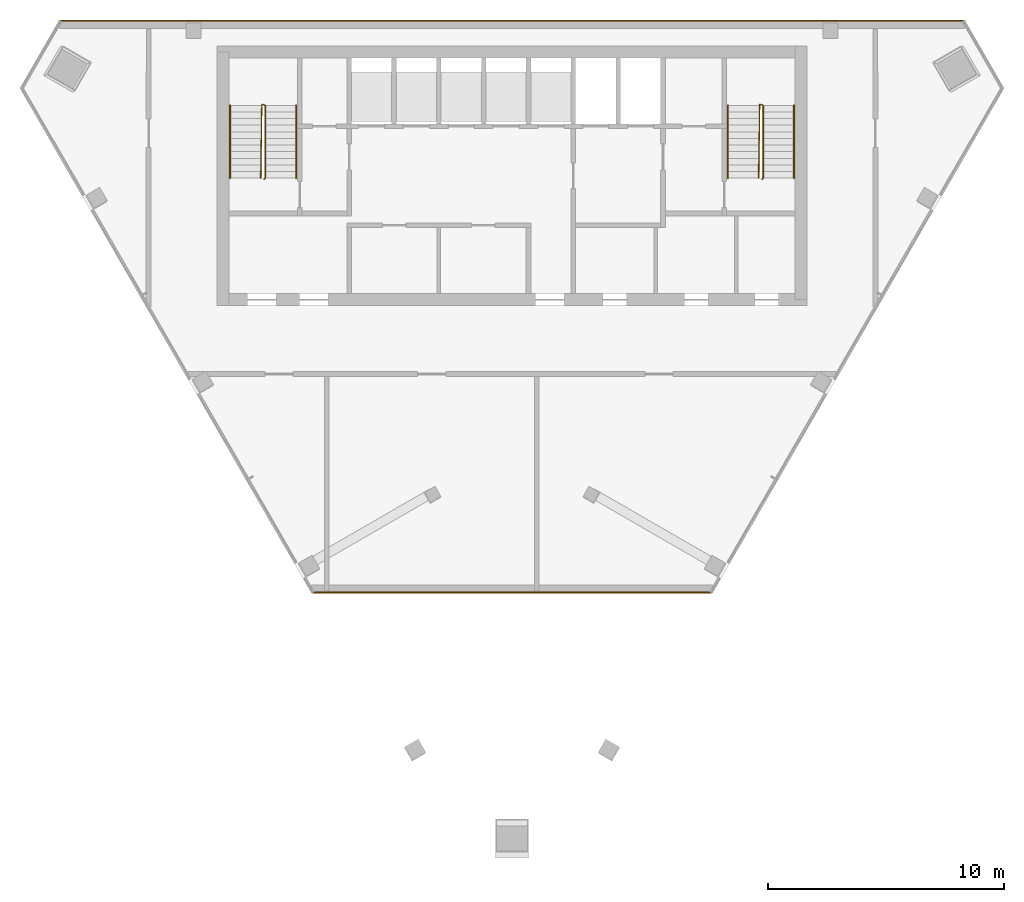
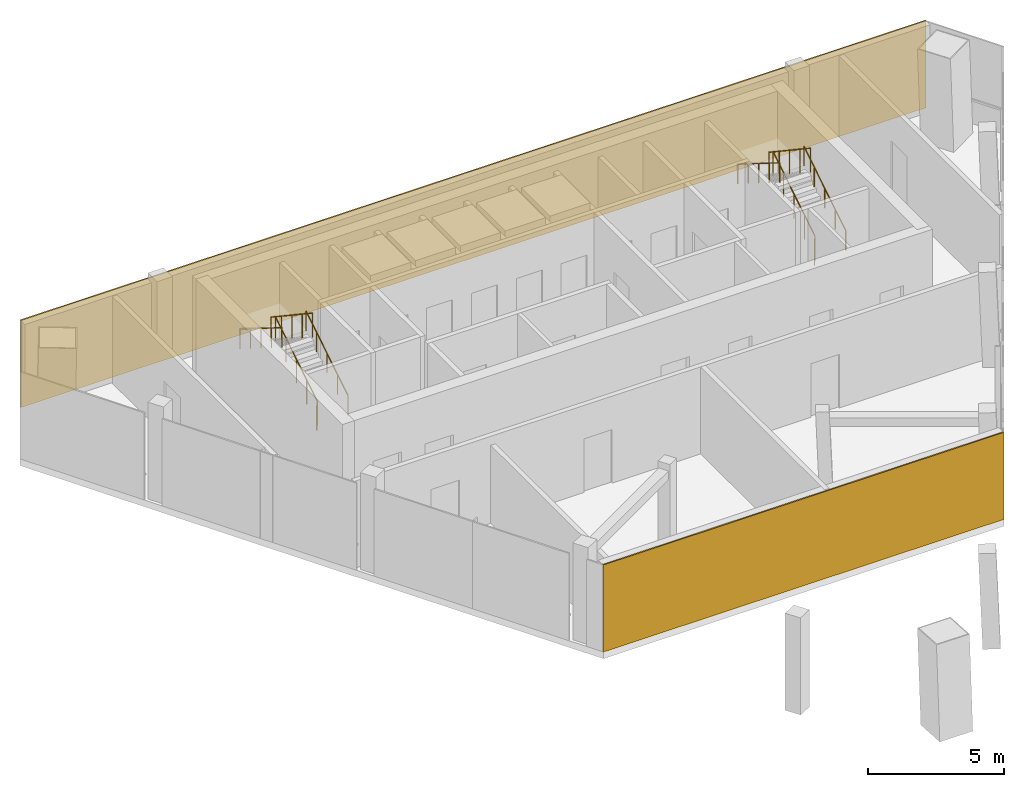
# One storey, part 7 of 8: 6 railings, 2 coverings.
"""IFC4 building model written with IfcOpenShell, lengths in metres."""

from ifc_helpers import new_model, si_unit, direction, frame, frame_2d, origin, origin_2d, place, context, subcontext, project, spatial, rectangle, circle, extrude, material, layer, layer_set, type_object, element, save


model = new_model("IFC4")

# Units and contexts
model_context = context("Model", 3, precision=1e-05, world=origin(), true_north=direction((0.0, 1.0)))
body_context = subcontext(model_context, "Body", "Model", "MODEL_VIEW")
ifc_project = project(units=[si_unit("LENGTHUNIT", "METRE"), si_unit("AREAUNIT", "SQUARE_METRE"), si_unit("VOLUMEUNIT", "CUBIC_METRE"), si_unit("PLANEANGLEUNIT", "RADIAN"), si_unit("MASSUNIT", "GRAM", prefix="KILO")], contexts=[model_context])

# Site, building, storey
site_placement = place(None, origin())
site = spatial("IfcSite", under=ifc_project, at=site_placement, CompositionType="ELEMENT")
building_placement = place(site_placement, origin())
building = spatial("IfcBuilding", under=site, at=building_placement, Name="Altiplano Prism Tower", CompositionType="ELEMENT")
storey_placement = place(building_placement, frame((0.0, 0.0, 338.800048828125)))
storey = spatial("IfcBuildingStorey", under=building, at=storey_placement, Name="L88", CompositionType="ELEMENT", Elevation=338.800048828125)

# Railings
ifc_material_1 = material(Name="Steel S355", Category="steel")
railing_type_1 = type_object("IfcRailingType", Name="Stair guard 1100", PredefinedType="GUARDRAIL", material=ifc_material_1)
railing_1_placement = place(storey_placement, frame((74.5, 98.25, 0.0)))
element("IfcRailing", 1, at=railing_1_placement, inside=storey, type_object=railing_type_1, Name="L88 ST1 stair guard 1", PredefinedType="GUARDRAIL", context=body_context, shape_type="SweptSolid", body=[
    extrude(circle(Radius=0.02392578125, at=origin_2d()), frame((0.0, 0.0, 1.076171875), z_axis=(0.265065253269, 0.265065253269, 0.927081885822), x_axis=(-0.707106781187, 0.707106781187, 0.0)), (0.0, 0.0, 1.0), 0.188720703125),
    extrude(circle(Radius=0.02392578125, at=origin_2d()), frame((0.050048828125, 0.050048828125, 1.2509765625), z_axis=(0.0, 0.848009633417, 0.529980812513), x_axis=(-1.0, 0.0, 0.0)), (0.0, 0.0, 1.0), 3.6318359375),
    extrude(circle(Radius=0.02392578125, at=origin_2d()), frame((0.050048828125, 3.1298828125, 3.17578125), z_axis=(-0.948683298051, 0.316227766017, 0.0), x_axis=(-0.316227766017, -0.948683298051, 0.0)), (0.0, 0.0, 1.0), 0.158203125),
    extrude(circle(Radius=0.02392578125, at=origin_2d()), frame((-0.10009765625, 3.179931640625, 3.17578125), z_axis=(-0.01321257878, -0.830319901794, 0.557130405244), x_axis=(0.999873418038, -0.015910622253, 0.0)), (0.0, 0.0, 1.0), 3.76953125),
    extrude(circle(Radius=0.02099609375, at=origin_2d()), origin(), (0.0, 0.0, 1.0), 1.052001953125),
    extrude(circle(Radius=0.02099609375, at=origin_2d()), frame((0.050048828125, 0.050048828125, 0.175048828125)), (0.0, 0.0, 1.0), 1.052001953125),
    extrude(circle(Radius=0.02099609375, at=origin_2d()), frame((0.050048828125, 0.820068359375, 0.65625)), (0.0, 0.0, 1.0), 1.052001953125),
    extrude(circle(Radius=0.02099609375, at=origin_2d()), frame((0.050048828125, 1.58984375, 1.137451171875)), (0.0, 0.0, 1.0), 1.052001953125),
    extrude(circle(Radius=0.02099609375, at=origin_2d()), frame((0.050048828125, 2.35986328125, 1.61865234375)), (0.0, 0.0, 1.0), 1.052001953125),
    extrude(circle(Radius=0.02099609375, at=origin_2d()), frame((0.050048828125, 3.1298828125, 2.099853515625)), (0.0, 0.0, 1.0), 1.052001953125),
    extrude(circle(Radius=0.02099609375, at=origin_2d()), frame((-0.10009765625, 3.179931640625, 2.099853515625)), (0.0, 0.0, 1.0), 1.052001953125),
    extrude(circle(Radius=0.02099609375, at=origin_2d()), frame((-0.112548828125, 2.3974609375, 2.625)), (0.0, 0.0, 1.0), 1.052001953125),
    extrude(circle(Radius=0.02099609375, at=origin_2d()), frame((-0.125, 1.614990234375, 3.14990234375)), (0.0, 0.0, 1.0), 1.052001953125),
    extrude(circle(Radius=0.02099609375, at=origin_2d()), frame((-0.137451171875, 0.83251953125, 3.6748046875)), (0.0, 0.0, 1.0), 1.052001953125),
    extrude(circle(Radius=0.02099609375, at=origin_2d()), frame((-0.14990234375, 0.050048828125, 4.199951171875)), (0.0, 0.0, 1.0), 1.052001953125),
])
railing_2_placement = place(storey_placement, frame((95.60009765625, 98.25, 0.0)))
element("IfcRailing", 2, at=railing_2_placement, inside=storey, type_object=railing_type_1, Name="L88 ST2 stair guard 1", PredefinedType="GUARDRAIL", context=body_context, shape_type="SweptSolid", body=[
    extrude(circle(Radius=0.02392578125, at=origin_2d()), frame((0.0, 0.0, 1.076171875), z_axis=(0.263862480399, 0.265155923931, 0.927399011991), x_axis=(-0.708833529934, 0.705375805398, 0.0)), (0.0, 0.0, 1.0), 0.188720703125),
    extrude(circle(Radius=0.02392578125, at=origin_2d()), frame((0.0498046875, 0.050048828125, 1.2509765625), z_axis=(0.0, 0.848009633417, 0.529980812513), x_axis=(-1.0, 0.0, 0.0)), (0.0, 0.0, 1.0), 3.6318359375),
    extrude(circle(Radius=0.02392578125, at=origin_2d()), frame((0.0498046875, 3.1298828125, 3.17578125), z_axis=(-0.948528701346, 0.316691178788, 0.0), x_axis=(-0.316691178788, -0.948528701346, 0.0)), (0.0, 0.0, 1.0), 0.157958984375),
    extrude(circle(Radius=0.02392578125, at=origin_2d()), frame((-0.10009765625, 3.179931640625, 3.17578125), z_axis=(-0.013277334934, -0.83031918951, 0.557129927314), x_axis=(0.999872174235, -0.01598859561, 0.0)), (0.0, 0.0, 1.0), 3.76953125),
    extrude(circle(Radius=0.02099609375, at=origin_2d()), origin(), (0.0, 0.0, 1.0), 1.052001953125),
    extrude(circle(Radius=0.02099609375, at=origin_2d()), frame((0.0498046875, 0.050048828125, 0.175048828125)), (0.0, 0.0, 1.0), 1.052001953125),
    extrude(circle(Radius=0.02099609375, at=origin_2d()), frame((0.0498046875, 0.820068359375, 0.65625)), (0.0, 0.0, 1.0), 1.052001953125),
    extrude(circle(Radius=0.02099609375, at=origin_2d()), frame((0.0498046875, 1.58984375, 1.137451171875)), (0.0, 0.0, 1.0), 1.052001953125),
    extrude(circle(Radius=0.02099609375, at=origin_2d()), frame((0.0498046875, 2.35986328125, 1.61865234375)), (0.0, 0.0, 1.0), 1.052001953125),
    extrude(circle(Radius=0.02099609375, at=origin_2d()), frame((0.0498046875, 3.1298828125, 2.099853515625)), (0.0, 0.0, 1.0), 1.052001953125),
    extrude(circle(Radius=0.02099609375, at=origin_2d()), frame((-0.10009765625, 3.179931640625, 2.099853515625)), (0.0, 0.0, 1.0), 1.052001953125),
    extrude(circle(Radius=0.02099609375, at=origin_2d()), frame((-0.112548828125, 2.3974609375, 2.625)), (0.0, 0.0, 1.0), 1.052001953125),
    extrude(circle(Radius=0.02099609375, at=origin_2d()), frame((-0.125, 1.614990234375, 3.14990234375)), (0.0, 0.0, 1.0), 1.052001953125),
    extrude(circle(Radius=0.02099609375, at=origin_2d()), frame((-0.1376953125, 0.83251953125, 3.6748046875)), (0.0, 0.0, 1.0), 1.052001953125),
    extrude(circle(Radius=0.02099609375, at=origin_2d()), frame((-0.150146484375, 0.050048828125, 4.199951171875)), (0.0, 0.0, 1.0), 1.052001953125),
])
railing_type_2 = type_object("IfcRailingType", Name="Stair handrail 900", PredefinedType="HANDRAIL", material=ifc_material_1)
railing_3_placement = place(storey_placement, frame((75.85009765625, 98.300048828125, 0.175048828125)))
element("IfcRailing", 3, at=railing_3_placement, inside=storey, type_object=railing_type_2, Name="L88 ST1 stair handrail 1", PredefinedType="HANDRAIL", context=body_context, shape_type="SweptSolid", body=[
    extrude(circle(Radius=0.02392578125, at=origin_2d()), frame((0.0, 0.0, 0.8759765625), z_axis=(0.0, 0.848009633417, 0.529980812513), x_axis=(-1.0, 0.0, 0.0)), (0.0, 0.0, 1.0), 3.6318359375),
    extrude(circle(Radius=0.02099609375, at=origin_2d()), origin(), (0.0, 0.0, 1.0), 0.851806640625),
    extrude(circle(Radius=0.02099609375, at=origin_2d()), frame((0.0, 0.77001953125, 0.481201171875)), (0.0, 0.0, 1.0), 0.851806640625),
    extrude(circle(Radius=0.02099609375, at=origin_2d()), frame((0.0, 1.5400390625, 0.96240234375)), (0.0, 0.0, 1.0), 0.851806640625),
    extrude(circle(Radius=0.02099609375, at=origin_2d()), frame((0.0, 2.309814453125, 1.443603515625)), (0.0, 0.0, 1.0), 0.851806640625),
    extrude(circle(Radius=0.02099609375, at=origin_2d()), frame((0.0, 3.079833984375, 1.9248046875)), (0.0, 0.0, 1.0), 0.851806640625),
])
railing_4_placement = place(storey_placement, frame((73.050048828125, 101.3798828125, 2.27490234375)))
element("IfcRailing", 4, at=railing_4_placement, inside=storey, type_object=railing_type_2, Name="L88 ST1 stair handrail 2", PredefinedType="HANDRAIL", context=body_context, shape_type="SweptSolid", body=[
    extrude(circle(Radius=0.02392578125, at=origin_2d()), frame((0.0, 0.0, 0.8759765625), z_axis=(0.0, -0.847979421464, 0.530029150871), x_axis=(1.0, 0.0, 0.0)), (0.0, 0.0, 1.0), 3.632080078125),
    extrude(circle(Radius=0.02099609375, at=origin_2d()), origin(), (0.0, 0.0, 1.0), 0.851806640625),
    extrude(circle(Radius=0.02099609375, at=origin_2d()), frame((0.0, -0.77001953125, 0.481201171875)), (0.0, 0.0, 1.0), 0.851806640625),
    extrude(circle(Radius=0.02099609375, at=origin_2d()), frame((0.0, -1.5400390625, 0.96240234375)), (0.0, 0.0, 1.0), 0.851806640625),
    extrude(circle(Radius=0.02099609375, at=origin_2d()), frame((0.0, -2.309814453125, 1.44384765625)), (0.0, 0.0, 1.0), 0.851806640625),
    extrude(circle(Radius=0.02099609375, at=origin_2d()), frame((0.0, -3.079833984375, 1.925048828125)), (0.0, 0.0, 1.0), 0.851806640625),
])
railing_5_placement = place(storey_placement, frame((96.949951171875, 98.300048828125, 0.175048828125)))
element("IfcRailing", 5, at=railing_5_placement, inside=storey, type_object=railing_type_2, Name="L88 ST2 stair handrail 1", PredefinedType="HANDRAIL", context=body_context, shape_type="SweptSolid", body=[
    extrude(circle(Radius=0.02392578125, at=origin_2d()), frame((0.0, 0.0, 0.8759765625), z_axis=(0.0, 0.848009633417, 0.529980812513), x_axis=(-1.0, 0.0, 0.0)), (0.0, 0.0, 1.0), 3.6318359375),
    extrude(circle(Radius=0.02099609375, at=origin_2d()), origin(), (0.0, 0.0, 1.0), 0.851806640625),
    extrude(circle(Radius=0.02099609375, at=origin_2d()), frame((0.0, 0.77001953125, 0.481201171875)), (0.0, 0.0, 1.0), 0.851806640625),
    extrude(circle(Radius=0.02099609375, at=origin_2d()), frame((0.0, 1.5400390625, 0.96240234375)), (0.0, 0.0, 1.0), 0.851806640625),
    extrude(circle(Radius=0.02099609375, at=origin_2d()), frame((0.0, 2.309814453125, 1.443603515625)), (0.0, 0.0, 1.0), 0.851806640625),
    extrude(circle(Radius=0.02099609375, at=origin_2d()), frame((0.0, 3.079833984375, 1.9248046875)), (0.0, 0.0, 1.0), 0.851806640625),
])
railing_6_placement = place(storey_placement, frame((94.14990234375, 101.3798828125, 2.27490234375)))
element("IfcRailing", 6, at=railing_6_placement, inside=storey, type_object=railing_type_2, Name="L88 ST2 stair handrail 2", PredefinedType="HANDRAIL", context=body_context, shape_type="SweptSolid", body=[
    extrude(circle(Radius=0.02392578125, at=origin_2d()), frame((0.0, 0.0, 0.8759765625), z_axis=(0.0, -0.847979421464, 0.530029150871), x_axis=(1.0, 0.0, 0.0)), (0.0, 0.0, 1.0), 3.632080078125),
    extrude(circle(Radius=0.02099609375, at=origin_2d()), origin(), (0.0, 0.0, 1.0), 0.851806640625),
    extrude(circle(Radius=0.02099609375, at=origin_2d()), frame((0.0, -0.77001953125, 0.481201171875)), (0.0, 0.0, 1.0), 0.851806640625),
    extrude(circle(Radius=0.02099609375, at=origin_2d()), frame((0.0, -1.5400390625, 0.96240234375)), (0.0, 0.0, 1.0), 0.851806640625),
    extrude(circle(Radius=0.02099609375, at=origin_2d()), frame((0.0, -2.309814453125, 1.44384765625)), (0.0, 0.0, 1.0), 0.851806640625),
    extrude(circle(Radius=0.02099609375, at=origin_2d()), frame((0.0, -3.079833984375, 1.925048828125)), (0.0, 0.0, 1.0), 0.851806640625),
])

# Coverings
ifc_material_2 = material(Name="Warm limestone cast stone", Category="masonry")
ifc_layer = layer(ifc_material_2, 0.06005859375)
ifc_layer_set = layer_set([ifc_layer], Name="Warm limestone cast stone")
covering_type = type_object("IfcCoveringType", Name="Stone cladding 60", PredefinedType="CLADDING", material=ifc_layer_set)
covering_1_placement = place(storey_placement, frame((65.81640625, 104.969970703125, 0.0), z_axis=(0.0, 0.0, 1.0), x_axis=(1.0, 0.0, 0.0)))
element("IfcCovering", 7, at=covering_1_placement, inside=storey, type_object=covering_type, Name="Stone cladding north face L88", PredefinedType="CLADDING", context=body_context, shape_type="SweptSolid", body=[
    extrude(rectangle(XDim=38.3671875, YDim=0.06005859375, at=frame_2d((19.18359375, 0.0))), origin(), (0.0, 0.0, 1.0), 3.89990234375),
])
covering_2_placement = place(storey_placement, frame((93.487548828125, 80.72998046875, 0.0), z_axis=(0.0, 0.0, 1.0), x_axis=(-1.0, 0.0, 0.0)))
element("IfcCovering", 8, at=covering_2_placement, inside=storey, type_object=covering_type, Name="Stone cladding portal cut L88", PredefinedType="CLADDING", context=body_context, shape_type="SweptSolid", body=[
    extrude(rectangle(XDim=16.97509765625, YDim=0.06005859375, at=frame_2d((8.487548828125, 0.0))), origin(), (0.0, 0.0, 1.0), 3.89990234375),
])

save(model, "model.ifc")
